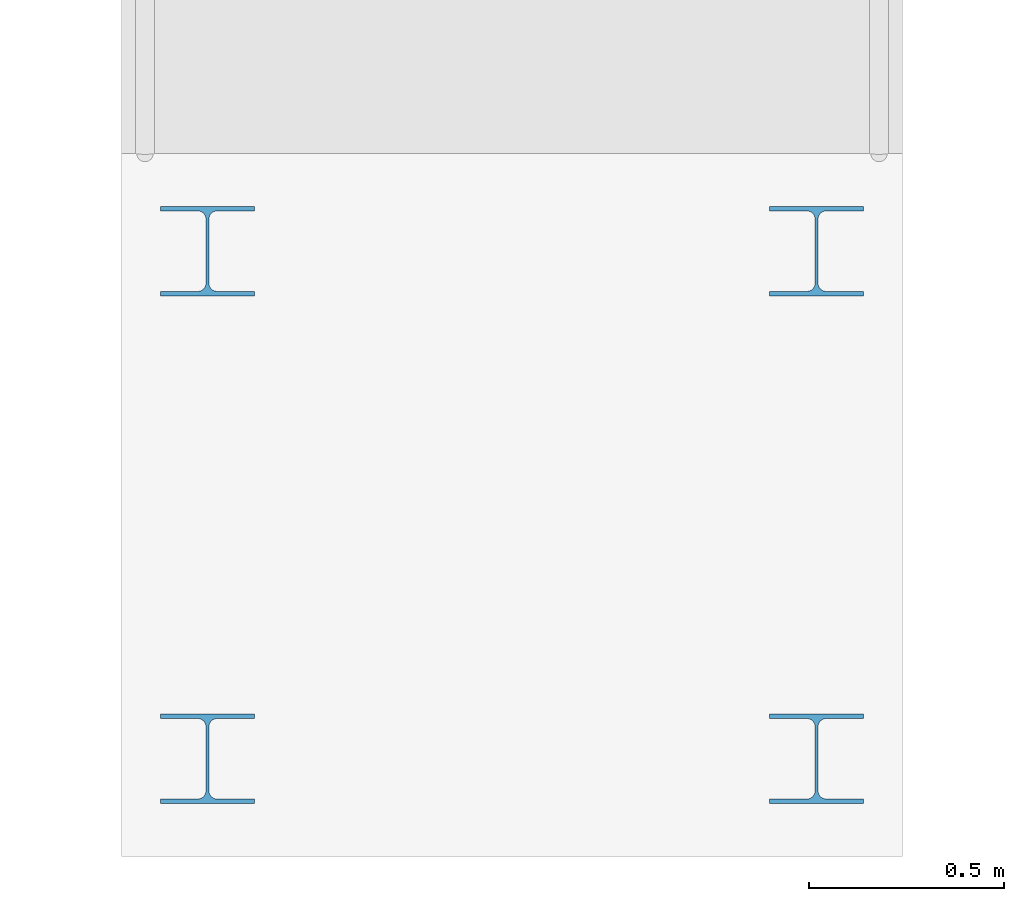
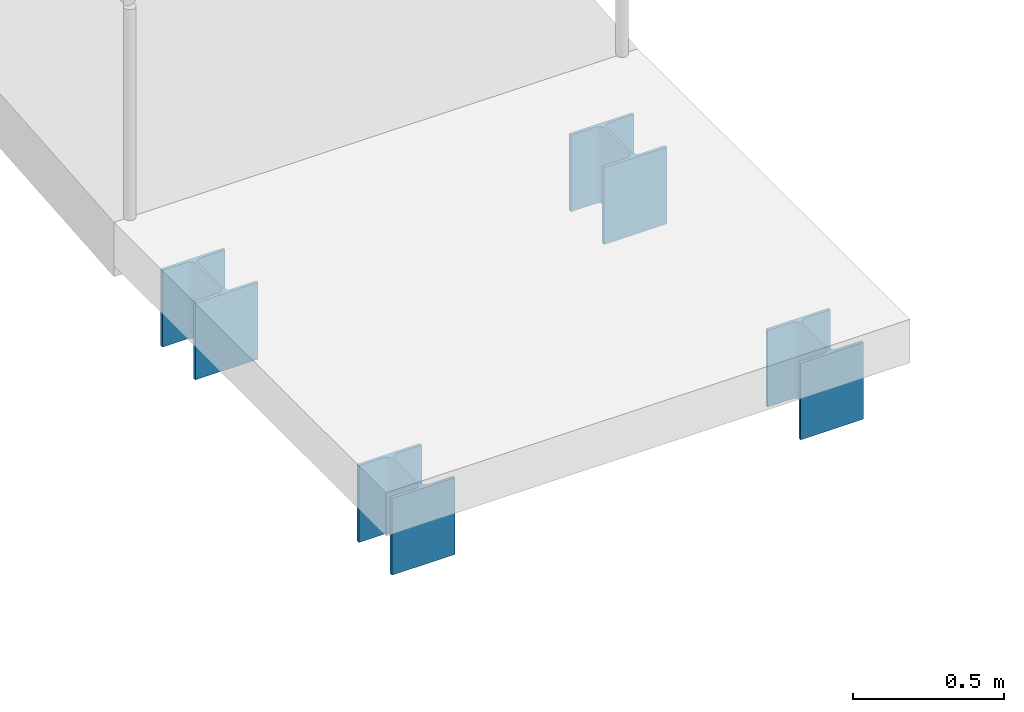
# One storey, part 45 of 86: 4 members.
"""IFC4 building model written with IfcOpenShell, lengths in metres."""

from ifc_helpers import new_model, si_unit, direction, frame, origin, origin_2d, place, context, subcontext, project, spatial, i_section, extrude, material, material_profile, profile_set, type_object, element, save


model = new_model("IFC4")

# Units and contexts
model_context = context("Model", 3, precision=1e-05, world=origin(), true_north=direction((0.0, 1.0)))
body_context = subcontext(model_context, "Body", "Model", "MODEL_VIEW")
ifc_project = project(units=[si_unit("LENGTHUNIT", "METRE"), si_unit("AREAUNIT", "SQUARE_METRE"), si_unit("VOLUMEUNIT", "CUBIC_METRE"), si_unit("PLANEANGLEUNIT", "RADIAN"), si_unit("MASSUNIT", "GRAM", prefix="KILO")], contexts=[model_context])

# Site, building, storey
site_placement = place(None, origin())
site = spatial("IfcSite", under=ifc_project, at=site_placement, CompositionType="ELEMENT")
building_placement = place(site_placement, origin())
building = spatial("IfcBuilding", under=site, at=building_placement, Name="Kenh Van Central Station", CompositionType="ELEMENT")
storey_placement = place(building_placement, origin())
storey = spatial("IfcBuildingStorey", under=building, at=storey_placement, Name="L00", CompositionType="ELEMENT", Elevation=0.0)

# Members
ifc_material = material(Name="Steel S355", Category="steel")
ifc_material_profile = material_profile(ifc_material, i_section(OverallWidth=0.239990234375, OverallDepth=0.22998046875, WebThickness=0.007568359375, FlangeThickness=0.011962890625, FilletRadius=0.02099609375, at=origin_2d()), Name="HEA 240")
ifc_profile_set = profile_set([ifc_material_profile], Name="Steel S355")
member_type = type_object("IfcMemberType", Name="MEM-ROOF-POST240", PredefinedType="POST", material=ifc_profile_set)
for number, where, z_axis, x_axis, name in (
    (1, (108.780029296875, -7.64990234375, -0.89990234375), (0.0, 0.0, 1.0), (1.0, 0.0, 0.0), "Forecourt East Drop-Off Accessible Ramp landing support post 11"),
    (2, (107.219970703125, -7.64990234375, -0.89990234375), (0.0, 0.0, 1.0), (1.0, 0.0, 0.0), "Forecourt East Drop-Off Accessible Ramp landing support post 12"),
    (3, (108.780029296875, -8.949951171875, -0.89990234375), (0.0, 0.0, 1.0), (1.0, 0.0, 0.0), "Forecourt East Drop-Off Accessible Ramp landing support post 21"),
    (4, (107.219970703125, -8.949951171875, -0.89990234375), (0.0, 0.0, 1.0), (1.0, 0.0, 0.0), "Forecourt East Drop-Off Accessible Ramp landing support post 22"),
):
    element("IfcMember", number, at=place(storey_placement, frame(where, z_axis=z_axis, x_axis=x_axis)), inside=storey, type_object=member_type, Name=name, PredefinedType="POST", context=body_context, shape_type="SweptSolid", body=[
        extrude(i_section(OverallWidth=0.239990234375, OverallDepth=0.22998046875, WebThickness=0.007568359375, FlangeThickness=0.011962890625, FilletRadius=0.02099609375, at=origin_2d()), origin(), (0.0, 0.0, 1.0), 0.309814453125),
    ])

save(model, "model.ifc")
